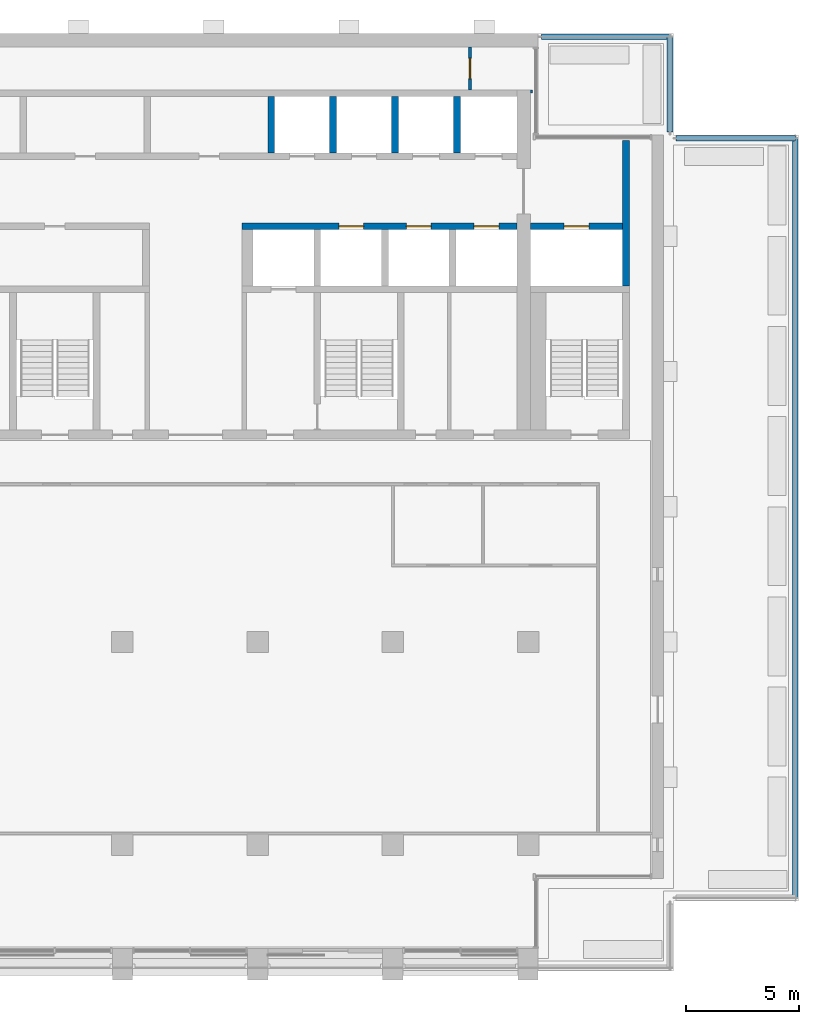
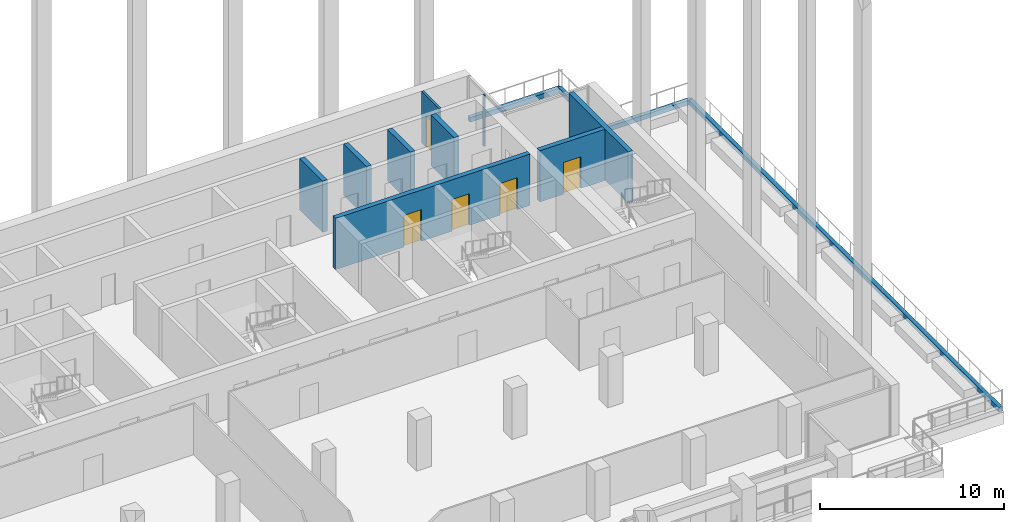
# One storey, part 11 of 16: 13 walls, 5 doors, 5 openings.
"""IFC4 building model written with IfcOpenShell, lengths in metres."""

from ifc_helpers import new_model, si_unit, direction, frame, frame_2d, origin, place, context, subcontext, project, spatial, rectangle, extrude, material, layer, layer_set, type_object, element, fill, save


model = new_model("IFC4")

# Units and contexts
model_context = context("Model", 3, precision=1e-05, world=origin(), true_north=direction((0.0, 1.0)))
body_context = subcontext(model_context, "Body", "Model", "MODEL_VIEW")
ifc_project = project(units=[si_unit("LENGTHUNIT", "METRE"), si_unit("AREAUNIT", "SQUARE_METRE"), si_unit("VOLUMEUNIT", "CUBIC_METRE"), si_unit("PLANEANGLEUNIT", "RADIAN"), si_unit("MASSUNIT", "GRAM", prefix="KILO")], contexts=[model_context])

# Site, building, storey
site_placement = place(None, origin())
site = spatial("IfcSite", under=ifc_project, at=site_placement, CompositionType="ELEMENT")
building_placement = place(site_placement, origin())
building = spatial("IfcBuilding", under=site, at=building_placement, Name="Calvaro Tower", CompositionType="ELEMENT")
storey_placement = place(building_placement, frame((0.0, 0.0, 231.75)))
storey = spatial("IfcBuildingStorey", under=building, at=storey_placement, Name="L58", CompositionType="ELEMENT", Elevation=231.75)

# Wall
ifc_material_1 = material(Name="Blockwork partition", Category="masonry")
ifc_layer_1 = layer(ifc_material_1, 0.10009765625)
ifc_layer_set_1 = layer_set([ifc_layer_1], Name="Blockwork partition")
wall_type_1 = type_object("IfcWallType", Name="Core partition 100 REI 120", PredefinedType="PARTITIONING", material=ifc_layer_set_1)
wall_1_placement = place(storey_placement, frame((60.14990234375, 43.35009765625, 0.0), z_axis=(0.0, 0.0, 1.0), x_axis=(0.0, 1.0, 0.0)))
element("IfcWall", 1, at=wall_1_placement, inside=storey, type_object=wall_type_1, Name="Core partition", PredefinedType="PARTITIONING", context=body_context, shape_type="SweptSolid", body=[
    extrude(rectangle(XDim=0.14990234375, YDim=0.10009765625, at=frame_2d((0.074951171875, 0.0))), origin(), (0.0, 0.0, 1.0), 3.39990234375),
])

# Wall, opening, door
ifc_material_2 = material(Name="Blockwork partition", Category="masonry")
ifc_layer_2 = layer(ifc_material_2, 0.14990234375)
ifc_layer_set_2 = layer_set([ifc_layer_2], Name="Blockwork partition")
wall_type_2 = type_object("IfcWallType", Name="Core partition 150 REI 120", PredefinedType="PARTITIONING", material=ifc_layer_set_2)
wall_2_placement = place(storey_placement, frame((57.425048828125, 45.39990234375, 0.0), z_axis=(0.0, 0.0, 1.0), x_axis=(0.0, -1.0, 0.0)))
wall_2 = element("IfcWall", 2, at=wall_2_placement, inside=storey, type_object=wall_type_2, Name="Core partition", PredefinedType="PARTITIONING", context=body_context, shape_type="SweptSolid", body=[
    extrude(rectangle(XDim=1.89990234375, YDim=0.14990234375, at=frame_2d((0.949951171875, 0.0))), origin(), (0.0, 0.0, 1.0), 3.39990234375),
])
opening_1_placement = place(wall_2_placement, frame((0.5, 0.0, 0.0)))
opening_1 = element("IfcOpeningElement", 3, at=opening_1_placement, cuts=wall_2, Name="Opening RD9E", PredefinedType="OPENING", context=body_context, shape_type="SweptSolid", body=[
    extrude(rectangle(XDim=0.89990234375, YDim=2.10009765625, at=frame_2d((0.449951171875, 1.050048828125))), frame((0.0, 0.0849609375, 0.0), z_axis=(0.0, -1.0, 0.0), x_axis=(1.0, 0.0, 0.0)), (0.0, 0.0, 1.0), 0.169921875),
])
ifc_material_3 = material(Name="Steel door set", Category="steel")
door_type_1 = type_object("IfcDoorType", Name="Room door 900 FD60", OperationType="SINGLE_SWING_LEFT", PredefinedType="DOOR", material=ifc_material_3)
door_1_placement = place(opening_1_placement, origin())
door_1 = element("IfcDoor", 4, at=door_1_placement, inside=storey, type_object=door_type_1, Name="Room door", OperationType="SINGLE_SWING_LEFT", OverallHeight=2.10009765625, OverallWidth=0.89990234375, PredefinedType="DOOR", context=body_context, shape_type="SweptSolid", body=[
    extrude(rectangle(XDim=0.89990234375, YDim=2.10009765625, at=frame_2d((0.449951171875, 1.050048828125))), frame((0.0, 0.02490234375, 0.0), z_axis=(0.0, -1.0, 0.0), x_axis=(1.0, 0.0, 0.0)), (0.0, 0.0, 1.0), 0.050048828125),
])
fill(opening_1, door_1)

# Wall
ifc_material_4 = material(Name="Concrete C40/50", Category="concrete")
ifc_layer_3 = layer(ifc_material_4, 0.300048828125)
ifc_layer_set_3 = layer_set([ifc_layer_3], Name="Concrete C40/50")
wall_type_3 = type_object("IfcWallType", Name="Core wall C40/50 300", PredefinedType="SHEAR", material=ifc_layer_set_3)
wall_3_placement = place(storey_placement, frame((64.35009765625, 34.800048828125, 0.0), z_axis=(0.0, 0.0, 1.0), x_axis=(0.0, 1.0, 0.0)))
element("IfcWall", 5, at=wall_3_placement, inside=storey, type_object=wall_type_3, Name="Core wall, boundary", PredefinedType="SHEAR", context=body_context, shape_type="SweptSolid", body=[
    extrude(rectangle(XDim=6.449951171875, YDim=0.300048828125, at=frame_2d((3.22509765625, 0.0))), origin(), (0.0, 0.0, 1.0), 3.39990234375),
])

# Wall, openings, doors
wall_4_placement = place(storey_placement, frame((47.300048828125, 37.449951171875, 0.0), z_axis=(0.0, 0.0, 1.0), x_axis=(1.0, 0.0, 0.0)))
wall_4 = element("IfcWall", 6, at=wall_4_placement, inside=storey, type_object=wall_type_3, Name="Core wall, lift shaft", PredefinedType="SHEAR", context=body_context, shape_type="SweptSolid", body=[
    extrude(rectangle(XDim=12.199951171875, YDim=0.300048828125, at=frame_2d((6.10009765625, 0.0))), origin(), (0.0, 0.0, 1.0), 3.39990234375),
])
opening_2_placement = place(wall_4_placement, frame((4.300048828125, 0.0, 0.0)))
opening_2 = element("IfcOpeningElement", 7, at=opening_2_placement, cuts=wall_4, Name="Opening HR1", PredefinedType="OPENING", context=body_context, shape_type="SweptSolid", body=[
    extrude(rectangle(XDim=1.10009765625, YDim=2.10009765625, at=frame_2d((0.550048828125, 1.050048828125))), frame((0.0, 0.159912109375, 0.0), z_axis=(0.0, -1.0, 0.0), x_axis=(1.0, 0.0, 0.0)), (0.0, 0.0, 1.0), 0.320068359375),
])
opening_3_placement = place(wall_4_placement, frame((7.300048828125, 0.0, 0.0)))
opening_3 = element("IfcOpeningElement", 8, at=opening_3_placement, cuts=wall_4, Name="Opening HR2", PredefinedType="OPENING", context=body_context, shape_type="SweptSolid", body=[
    extrude(rectangle(XDim=1.10009765625, YDim=2.10009765625, at=frame_2d((0.550048828125, 1.050048828125))), frame((0.0, 0.159912109375, 0.0), z_axis=(0.0, -1.0, 0.0), x_axis=(1.0, 0.0, 0.0)), (0.0, 0.0, 1.0), 0.320068359375),
])
opening_4_placement = place(wall_4_placement, frame((10.300048828125, 0.0, 0.0)))
opening_4 = element("IfcOpeningElement", 9, at=opening_4_placement, cuts=wall_4, Name="Opening HR3", PredefinedType="OPENING", context=body_context, shape_type="SweptSolid", body=[
    extrude(rectangle(XDim=1.10009765625, YDim=2.10009765625, at=frame_2d((0.550048828125, 1.050048828125))), frame((0.0, 0.159912109375, 0.0), z_axis=(0.0, -1.0, 0.0), x_axis=(1.0, 0.0, 0.0)), (0.0, 0.0, 1.0), 0.320068359375),
])
ifc_material_5 = material(Name="Stainless steel", Category="steel")
door_type_2 = type_object("IfcDoorType", Name="Landing door 1100 E 60", OperationType="SLIDING_TO_LEFT", PredefinedType="DOOR", material=ifc_material_5)
door_2_placement = place(opening_2_placement, origin())
door_2 = element("IfcDoor", 10, at=door_2_placement, inside=storey, type_object=door_type_2, Name="Landing door HR1", OperationType="SLIDING_TO_LEFT", OverallHeight=2.10009765625, OverallWidth=1.10009765625, PredefinedType="DOOR", context=body_context, shape_type="SweptSolid", body=[
    extrude(rectangle(XDim=1.10009765625, YDim=2.10009765625, at=frame_2d((0.550048828125, 1.050048828125))), frame((0.0, 0.02490234375, 0.0), z_axis=(0.0, -1.0, 0.0), x_axis=(1.0, 0.0, 0.0)), (0.0, 0.0, 1.0), 0.050048828125),
])
fill(opening_2, door_2)
door_3_placement = place(opening_3_placement, origin())
door_3 = element("IfcDoor", 11, at=door_3_placement, inside=storey, type_object=door_type_2, Name="Landing door HR2", OperationType="SLIDING_TO_LEFT", OverallHeight=2.10009765625, OverallWidth=1.10009765625, PredefinedType="DOOR", context=body_context, shape_type="SweptSolid", body=[
    extrude(rectangle(XDim=1.10009765625, YDim=2.10009765625, at=frame_2d((0.550048828125, 1.050048828125))), frame((0.0, 0.02490234375, 0.0), z_axis=(0.0, -1.0, 0.0), x_axis=(1.0, 0.0, 0.0)), (0.0, 0.0, 1.0), 0.050048828125),
])
fill(opening_3, door_3)
door_4_placement = place(opening_4_placement, origin())
door_4 = element("IfcDoor", 12, at=door_4_placement, inside=storey, type_object=door_type_2, Name="Landing door HR3", OperationType="SLIDING_TO_LEFT", OverallHeight=2.10009765625, OverallWidth=1.10009765625, PredefinedType="DOOR", context=body_context, shape_type="SweptSolid", body=[
    extrude(rectangle(XDim=1.10009765625, YDim=2.10009765625, at=frame_2d((0.550048828125, 1.050048828125))), frame((0.0, 0.02490234375, 0.0), z_axis=(0.0, -1.0, 0.0), x_axis=(1.0, 0.0, 0.0)), (0.0, 0.0, 1.0), 0.050048828125),
])
fill(opening_4, door_4)

# Wall, opening, door
wall_5_placement = place(storey_placement, frame((60.10009765625, 37.449951171875, 0.0), z_axis=(0.0, 0.0, 1.0), x_axis=(1.0, 0.0, 0.0)))
wall_5 = element("IfcWall", 13, at=wall_5_placement, inside=storey, type_object=wall_type_3, Name="Core wall, lift shaft", PredefinedType="SHEAR", context=body_context, shape_type="SweptSolid", body=[
    extrude(rectangle(XDim=4.099853515625, YDim=0.300048828125, at=frame_2d((2.0498046875, 0.0))), origin(), (0.0, 0.0, 1.0), 3.39990234375),
])
opening_5_placement = place(wall_5_placement, frame((1.5, 0.0, 0.0)))
opening_5 = element("IfcOpeningElement", 14, at=opening_5_placement, cuts=wall_5, Name="Opening FF3", PredefinedType="OPENING", context=body_context, shape_type="SweptSolid", body=[
    extrude(rectangle(XDim=1.10009765625, YDim=2.10009765625, at=frame_2d((0.550048828125, 1.050048828125))), frame((0.0, 0.159912109375, 0.0), z_axis=(0.0, -1.0, 0.0), x_axis=(1.0, 0.0, 0.0)), (0.0, 0.0, 1.0), 0.320068359375),
])
door_5_placement = place(opening_5_placement, origin())
door_5 = element("IfcDoor", 15, at=door_5_placement, inside=storey, type_object=door_type_2, Name="Landing door FF3", OperationType="SLIDING_TO_LEFT", OverallHeight=2.10009765625, OverallWidth=1.10009765625, PredefinedType="DOOR", context=body_context, shape_type="SweptSolid", body=[
    extrude(rectangle(XDim=1.10009765625, YDim=2.10009765625, at=frame_2d((0.550048828125, 1.050048828125))), frame((0.0, 0.02490234375, 0.0), z_axis=(0.0, -1.0, 0.0), x_axis=(1.0, 0.0, 0.0)), (0.0, 0.0, 1.0), 0.050048828125),
])
fill(opening_5, door_5)

# Walls
for number, where, z_axis, x_axis, name in (
    (16, (48.60009765625, 40.699951171875, 0.0), (0.0, 0.0, 1.0), (0.0, 1.0, 0.0), "Core wall, lift shaft"),
    (17, (51.35009765625, 40.699951171875, 0.0), (0.0, 0.0, 1.0), (0.0, 1.0, 0.0), "Core wall, lift shaft"),
    (18, (54.10009765625, 40.699951171875, 0.0), (0.0, 0.0, 1.0), (0.0, 1.0, 0.0), "Core wall, lift shaft"),
    (19, (56.85009765625, 40.699951171875, 0.0), (0.0, 0.0, 1.0), (0.0, 1.0, 0.0), "Core wall, lift shaft"),
):
    element("IfcWall", number, at=place(storey_placement, frame(where, z_axis=z_axis, x_axis=x_axis)), inside=storey, type_object=wall_type_3, Name=name, PredefinedType="SHEAR", context=body_context, shape_type="SweptSolid", body=[
        extrude(rectangle(XDim=2.5, YDim=0.300048828125, at=frame_2d((1.25, 0.0))), origin(), (0.0, 0.0, 1.0), 3.39990234375),
    ])
ifc_material_6 = material(Name="Concrete C40/50", Category="concrete")
ifc_layer_4 = layer(ifc_material_6, 0.199951171875, Name="Structure")
ifc_material_7 = material(Name="Reconstituted stone coping")
ifc_layer_5 = layer(ifc_material_7, 0.050048828125, Name="Finish")
ifc_layer_set_4 = layer_set([ifc_layer_4, ifc_layer_5], Name="Concrete C40/50")
wall_type_4 = type_object("IfcWallType", Name="Terrace edge kerb 250", PredefinedType="PARAPET", material=ifc_layer_set_4)
wall_6_placement = place(storey_placement, frame((60.594970703125, 45.85009765625, 0.0), z_axis=(0.0, 0.0, 1.0), x_axis=(1.0, 0.0, 0.0)))
element("IfcWall", 20, at=wall_6_placement, inside=storey, type_object=wall_type_4, Name="Terrace edge kerb", PredefinedType="PARAPET", context=body_context, shape_type="SweptSolid", body=[
    extrude(rectangle(XDim=5.72998046875, YDim=0.25, at=frame_2d((2.864990234375, 0.0))), origin(), (0.0, 0.0, 1.0), 0.300048828125),
])
wall_7_placement = place(storey_placement, frame((66.300048828125, 45.875, 0.0), z_axis=(0.0, 0.0, 1.0), x_axis=(0.0, -1.0, 0.0)))
element("IfcWall", 21, at=wall_7_placement, inside=storey, type_object=wall_type_4, Name="Terrace edge kerb", PredefinedType="PARAPET", context=body_context, shape_type="SweptSolid", body=[
    extrude(rectangle(XDim=4.25, YDim=0.25, at=frame_2d((2.125, 0.0))), origin(), (0.0, 0.0, 1.0), 0.300048828125),
])
wall_8_placement = place(storey_placement, frame((66.574951171875, 41.35009765625, 0.0), z_axis=(0.0, 0.0, 1.0), x_axis=(1.0, 0.0, 0.0)))
element("IfcWall", 22, at=wall_8_placement, inside=storey, type_object=wall_type_4, Name="Terrace edge kerb", PredefinedType="PARAPET", context=body_context, shape_type="SweptSolid", body=[
    extrude(rectangle(XDim=5.300048828125, YDim=0.25, at=frame_2d((2.64990234375, 0.0))), origin(), (0.0, 0.0, 1.0), 0.300048828125),
])
wall_9_placement = place(storey_placement, frame((71.85009765625, 41.375, 0.0), z_axis=(0.0, 0.0, 1.0), x_axis=(0.0, -1.0, 0.0)))
element("IfcWall", 23, at=wall_9_placement, inside=storey, type_object=wall_type_4, Name="Terrace edge kerb", PredefinedType="PARAPET", context=body_context, shape_type="SweptSolid", body=[
    extrude(rectangle(XDim=33.75, YDim=0.25, at=frame_2d((16.875, 0.0))), origin(), (0.0, 0.0, 1.0), 0.300048828125),
])

save(model, "model.ifc")
